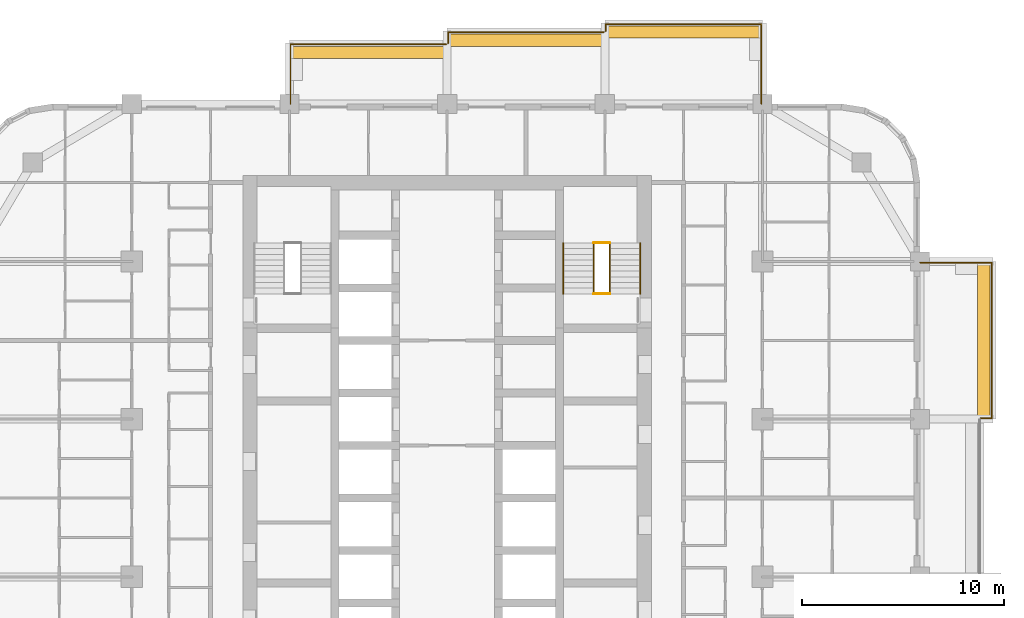
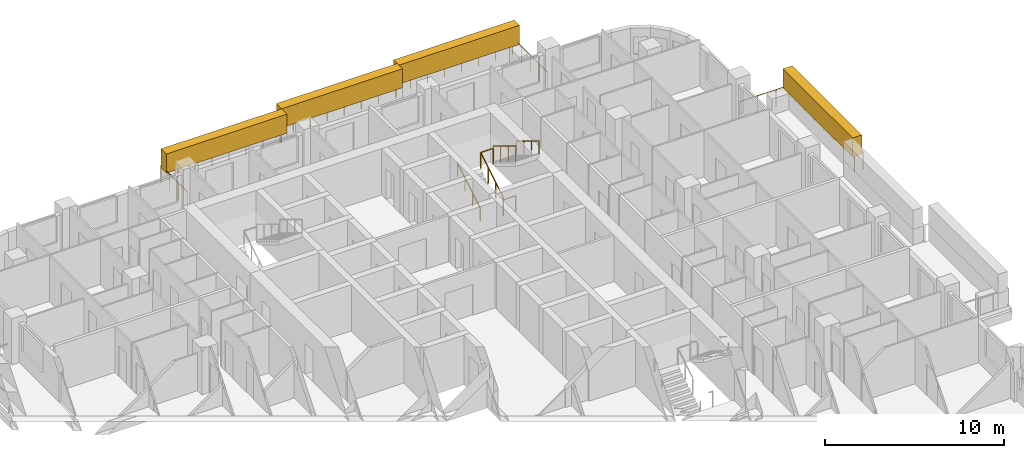
# One storey, part 17 of 17: 10 railings, 4 coverings, 1 element without a shape of its own.
"""IFC4 building model written with IfcOpenShell, lengths in metres."""

from ifc_helpers import new_model, si_unit, direction, frame, origin, origin_2d, place, context, subcontext, project, spatial, rectangle, circle, extrude, material, layer, layer_set, type_object, element, aggregate, save


model = new_model("IFC4")

# Units and contexts
model_context = context("Model", 3, precision=1e-05, world=origin(), true_north=direction((0.0, 1.0)))
body_context = subcontext(model_context, "Body", "Model", "MODEL_VIEW")
ifc_project = project(units=[si_unit("LENGTHUNIT", "METRE"), si_unit("AREAUNIT", "SQUARE_METRE"), si_unit("VOLUMEUNIT", "CUBIC_METRE"), si_unit("PLANEANGLEUNIT", "RADIAN"), si_unit("MASSUNIT", "GRAM", prefix="KILO")], contexts=[model_context])

# Site, building, storey
site_placement = place(None, origin())
site = spatial("IfcSite", under=ifc_project, at=site_placement, CompositionType="ELEMENT")
building_placement = place(site_placement, origin())
building = spatial("IfcBuilding", under=site, at=building_placement, Name="Ludao Terraces", CompositionType="ELEMENT")
storey_placement = place(building_placement, frame((0.0, 0.0, 88.60009765625)))
storey = spatial("IfcBuildingStorey", under=building, at=storey_placement, Name="L24", CompositionType="ELEMENT", Elevation=88.60009765625)

# Railings
ifc_material_1 = material(Name="Stainless steel 304", Category="steel")
railing_type_1 = type_object("IfcRailingType", Name="ENV Balcony glass guard 1200", PredefinedType="GUARDRAIL", material=ifc_material_1)
railing_1_placement = place(storey_placement, frame((111.39990234375, 72.85009765625, 0.0)))
element("IfcRailing", 1, at=railing_1_placement, inside=storey, type_object=railing_type_1, Name="Balcony guard L24 E4", PredefinedType="GUARDRAIL", context=body_context, shape_type="SweptSolid", body=[
    extrude(circle(Radius=0.02392578125, at=origin_2d()), frame((0.0, 0.0, 1.17578125), z_axis=(1.0, 0.0, 0.0), x_axis=(0.0, 1.0, 0.0)), (0.0, 0.0, 1.0), 0.550048828125),
    extrude(circle(Radius=0.02392578125, at=origin_2d()), frame((0.550048828125, 0.0, 1.17578125), z_axis=(0.0, 1.0, 0.0), x_axis=(-1.0, 0.0, 0.0)), (0.0, 0.0, 1.0), 7.699951171875),
    extrude(circle(Radius=0.02392578125, at=origin_2d()), frame((0.550048828125, 7.699951171875, 1.17578125), z_axis=(-1.0, 0.0, 0.0), x_axis=(0.0, -1.0, 0.0)), (0.0, 0.0, 1.0), 3.550048828125),
    extrude(circle(Radius=0.02099609375, at=origin_2d()), origin(), (0.0, 0.0, 1.0), 1.15185546875),
    extrude(circle(Radius=0.02099609375, at=origin_2d()), frame((0.550048828125, 0.0, 0.0)), (0.0, 0.0, 1.0), 1.15185546875),
    extrude(circle(Radius=0.02099609375, at=origin_2d()), frame((0.550048828125, 1.10009765625, 0.0)), (0.0, 0.0, 1.0), 1.15185546875),
    extrude(circle(Radius=0.02099609375, at=origin_2d()), frame((0.550048828125, 2.199951171875, 0.0)), (0.0, 0.0, 1.0), 1.15185546875),
    extrude(circle(Radius=0.02099609375, at=origin_2d()), frame((0.550048828125, 3.300048828125, 0.0)), (0.0, 0.0, 1.0), 1.15185546875),
    extrude(circle(Radius=0.02099609375, at=origin_2d()), frame((0.550048828125, 4.39990234375, 0.0)), (0.0, 0.0, 1.0), 1.15185546875),
    extrude(circle(Radius=0.02099609375, at=origin_2d()), frame((0.550048828125, 5.5, 0.0)), (0.0, 0.0, 1.0), 1.15185546875),
    extrude(circle(Radius=0.02099609375, at=origin_2d()), frame((0.550048828125, 6.599853515625, 0.0)), (0.0, 0.0, 1.0), 1.15185546875),
    extrude(circle(Radius=0.02099609375, at=origin_2d()), frame((0.550048828125, 7.699951171875, 0.0)), (0.0, 0.0, 1.0), 1.15185546875),
    extrude(circle(Radius=0.02099609375, at=origin_2d()), frame((-0.63330078125, 7.699951171875, 0.0)), (0.0, 0.0, 1.0), 1.15185546875),
    extrude(circle(Radius=0.02099609375, at=origin_2d()), frame((-1.816650390625, 7.699951171875, 0.0)), (0.0, 0.0, 1.0), 1.15185546875),
    extrude(circle(Radius=0.02099609375, at=origin_2d()), frame((-3.0, 7.699951171875, 0.0)), (0.0, 0.0, 1.0), 1.15185546875),
])
railing_2_placement = place(storey_placement, frame((77.25, 88.39990234375, 0.0)))
element("IfcRailing", 2, at=railing_2_placement, inside=storey, type_object=railing_type_1, Name="Balcony guard L24 N2", PredefinedType="GUARDRAIL", context=body_context, shape_type="SweptSolid", body=[
    extrude(circle(Radius=0.02392578125, at=origin_2d()), frame((0.0, 0.0, 1.17578125), z_axis=(0.0, 1.0, 0.0), x_axis=(-1.0, 0.0, 0.0)), (0.0, 0.0, 1.0), 2.9501953125),
    extrude(circle(Radius=0.02392578125, at=origin_2d()), frame((0.0, 2.9501953125, 1.17578125), z_axis=(1.0, 0.0, 0.0), x_axis=(0.0, 1.0, 0.0)), (0.0, 0.0, 1.0), 7.699951171875),
    extrude(circle(Radius=0.02099609375, at=origin_2d()), origin(), (0.0, 0.0, 1.0), 1.15185546875),
    extrude(circle(Radius=0.02099609375, at=origin_2d()), frame((0.0, 0.9833984375, 0.0)), (0.0, 0.0, 1.0), 1.15185546875),
    extrude(circle(Radius=0.02099609375, at=origin_2d()), frame((0.0, 1.966796875, 0.0)), (0.0, 0.0, 1.0), 1.15185546875),
    extrude(circle(Radius=0.02099609375, at=origin_2d()), frame((0.0, 2.9501953125, 0.0)), (0.0, 0.0, 1.0), 1.15185546875),
    extrude(circle(Radius=0.02099609375, at=origin_2d()), frame((1.10009765625, 2.9501953125, 0.0)), (0.0, 0.0, 1.0), 1.15185546875),
    extrude(circle(Radius=0.02099609375, at=origin_2d()), frame((2.199951171875, 2.9501953125, 0.0)), (0.0, 0.0, 1.0), 1.15185546875),
    extrude(circle(Radius=0.02099609375, at=origin_2d()), frame((3.300048828125, 2.9501953125, 0.0)), (0.0, 0.0, 1.0), 1.15185546875),
    extrude(circle(Radius=0.02099609375, at=origin_2d()), frame((4.39990234375, 2.9501953125, 0.0)), (0.0, 0.0, 1.0), 1.15185546875),
    extrude(circle(Radius=0.02099609375, at=origin_2d()), frame((5.5, 2.9501953125, 0.0)), (0.0, 0.0, 1.0), 1.15185546875),
    extrude(circle(Radius=0.02099609375, at=origin_2d()), frame((6.599853515625, 2.9501953125, 0.0)), (0.0, 0.0, 1.0), 1.15185546875),
    extrude(circle(Radius=0.02099609375, at=origin_2d()), frame((7.699951171875, 2.9501953125, 0.0)), (0.0, 0.0, 1.0), 1.15185546875),
])
railing_3_placement = place(storey_placement, frame((85.050048828125, 91.39990234375, 0.0)))
element("IfcRailing", 3, at=railing_3_placement, inside=storey, type_object=railing_type_1, Name="Balcony guard L24 N3", PredefinedType="GUARDRAIL", context=body_context, shape_type="SweptSolid", body=[
    extrude(circle(Radius=0.02392578125, at=origin_2d()), frame((0.0, 0.0, 1.17578125), z_axis=(0.0, 1.0, 0.0), x_axis=(-1.0, 0.0, 0.0)), (0.0, 0.0, 1.0), 0.550048828125),
    extrude(circle(Radius=0.02392578125, at=origin_2d()), frame((0.0, 0.550048828125, 1.17578125), z_axis=(1.0, 0.0, 0.0), x_axis=(0.0, 1.0, 0.0)), (0.0, 0.0, 1.0), 7.699951171875),
    extrude(circle(Radius=0.02099609375, at=origin_2d()), origin(), (0.0, 0.0, 1.0), 1.15185546875),
    extrude(circle(Radius=0.02099609375, at=origin_2d()), frame((0.0, 0.550048828125, 0.0)), (0.0, 0.0, 1.0), 1.15185546875),
    extrude(circle(Radius=0.02099609375, at=origin_2d()), frame((1.10009765625, 0.550048828125, 0.0)), (0.0, 0.0, 1.0), 1.15185546875),
    extrude(circle(Radius=0.02099609375, at=origin_2d()), frame((2.199951171875, 0.550048828125, 0.0)), (0.0, 0.0, 1.0), 1.15185546875),
    extrude(circle(Radius=0.02099609375, at=origin_2d()), frame((3.300048828125, 0.550048828125, 0.0)), (0.0, 0.0, 1.0), 1.15185546875),
    extrude(circle(Radius=0.02099609375, at=origin_2d()), frame((4.39990234375, 0.550048828125, 0.0)), (0.0, 0.0, 1.0), 1.15185546875),
    extrude(circle(Radius=0.02099609375, at=origin_2d()), frame((5.5, 0.550048828125, 0.0)), (0.0, 0.0, 1.0), 1.15185546875),
    extrude(circle(Radius=0.02099609375, at=origin_2d()), frame((6.599853515625, 0.550048828125, 0.0)), (0.0, 0.0, 1.0), 1.15185546875),
    extrude(circle(Radius=0.02099609375, at=origin_2d()), frame((7.699951171875, 0.550048828125, 0.0)), (0.0, 0.0, 1.0), 1.15185546875),
])
railing_4_placement = place(storey_placement, frame((92.85009765625, 92.0, 0.0)))
element("IfcRailing", 4, at=railing_4_placement, inside=storey, type_object=railing_type_1, Name="Balcony guard L24 N4", PredefinedType="GUARDRAIL", context=body_context, shape_type="SweptSolid", body=[
    extrude(circle(Radius=0.02392578125, at=origin_2d()), frame((0.0, 0.0, 1.17578125), z_axis=(0.0, 1.0, 0.0), x_axis=(-1.0, 0.0, 0.0)), (0.0, 0.0, 1.0), 0.35009765625),
    extrude(circle(Radius=0.02392578125, at=origin_2d()), frame((0.0, 0.35009765625, 1.17578125), z_axis=(1.0, 0.0, 0.0), x_axis=(0.0, 1.0, 0.0)), (0.0, 0.0, 1.0), 7.699951171875),
    extrude(circle(Radius=0.02392578125, at=origin_2d()), frame((7.699951171875, 0.35009765625, 1.17578125), z_axis=(0.0, -1.0, 0.0), x_axis=(1.0, 0.0, 0.0)), (0.0, 0.0, 1.0), 3.9501953125),
    extrude(circle(Radius=0.02099609375, at=origin_2d()), origin(), (0.0, 0.0, 1.0), 1.15185546875),
    extrude(circle(Radius=0.02099609375, at=origin_2d()), frame((0.0, 0.35009765625, 0.0)), (0.0, 0.0, 1.0), 1.15185546875),
    extrude(circle(Radius=0.02099609375, at=origin_2d()), frame((1.10009765625, 0.35009765625, 0.0)), (0.0, 0.0, 1.0), 1.15185546875),
    extrude(circle(Radius=0.02099609375, at=origin_2d()), frame((2.199951171875, 0.35009765625, 0.0)), (0.0, 0.0, 1.0), 1.15185546875),
    extrude(circle(Radius=0.02099609375, at=origin_2d()), frame((3.300048828125, 0.35009765625, 0.0)), (0.0, 0.0, 1.0), 1.15185546875),
    extrude(circle(Radius=0.02099609375, at=origin_2d()), frame((4.39990234375, 0.35009765625, 0.0)), (0.0, 0.0, 1.0), 1.15185546875),
    extrude(circle(Radius=0.02099609375, at=origin_2d()), frame((5.5, 0.35009765625, 0.0)), (0.0, 0.0, 1.0), 1.15185546875),
    extrude(circle(Radius=0.02099609375, at=origin_2d()), frame((6.599853515625, 0.35009765625, 0.0)), (0.0, 0.0, 1.0), 1.15185546875),
    extrude(circle(Radius=0.02099609375, at=origin_2d()), frame((7.699951171875, 0.35009765625, 0.0)), (0.0, 0.0, 1.0), 1.15185546875),
    extrude(circle(Radius=0.02099609375, at=origin_2d()), frame((7.699951171875, -0.637451171875, 0.0)), (0.0, 0.0, 1.0), 1.15185546875),
    extrude(circle(Radius=0.02099609375, at=origin_2d()), frame((7.699951171875, -1.625, 0.0)), (0.0, 0.0, 1.0), 1.15185546875),
    extrude(circle(Radius=0.02099609375, at=origin_2d()), frame((7.699951171875, -2.612548828125, 0.0)), (0.0, 0.0, 1.0), 1.15185546875),
    extrude(circle(Radius=0.02099609375, at=origin_2d()), frame((7.699951171875, -3.60009765625, 0.0)), (0.0, 0.0, 1.0), 1.15185546875),
])

# Coverings
ifc_material_2 = material(Name="Planting")
ifc_layer = layer(ifc_material_2, 0.60009765625)
ifc_layer_set = layer_set([ifc_layer], Name="ENV Planting hedge 600x1300")
covering_type = type_object("IfcCoveringType", Name="ENV Planting hedge 600x1300", PredefinedType="USERDEFINED", material=ifc_layer_set)
covering_placement = place(storey_placement, frame((111.550048828125, 76.699951171875, 1.10009765625), z_axis=(0.0, 0.0, 1.0), x_axis=(1.0, 0.0, 0.0)))
element("IfcCovering", 5, at=covering_placement, inside=storey, type_object=covering_type, Name="Planting hedge L24-E4", ObjectType="PLANTING", PredefinedType="USERDEFINED", context=body_context, shape_type="SweptSolid", body=[
    extrude(rectangle(XDim=0.60009765625, YDim=7.800048828125, at=origin_2d()), origin(), (0.0, 0.0, 1.0), 1.300048828125),
])
for number, where, z_axis, x_axis, name in (
    (6, (81.10009765625, 90.949951171875, 1.10009765625), (0.0, 0.0, 1.0), (1.0, 0.0, 0.0), "Planting hedge L24-N2"),
    (7, (88.89990234375, 91.550048828125, 1.10009765625), (0.0, 0.0, 1.0), (1.0, 0.0, 0.0), "Planting hedge L24-N3"),
    (8, (96.699951171875, 91.949951171875, 1.10009765625), (0.0, 0.0, 1.0), (1.0, 0.0, 0.0), "Planting hedge L24-N4"),
):
    element("IfcCovering", number, at=place(storey_placement, frame(where, z_axis=z_axis, x_axis=x_axis)), inside=storey, type_object=covering_type, Name=name, ObjectType="PLANTING", PredefinedType="USERDEFINED", context=body_context, shape_type="SweptSolid", body=[
        extrude(rectangle(XDim=7.800048828125, YDim=0.60009765625, at=origin_2d()), origin(), (0.0, 0.0, 1.0), 1.300048828125),
    ])

# Stair, railings
ifc_material_3 = material(Name="Concrete C40", Category="concrete")
stair_type = type_object("IfcStairType", Name="INT Stair", PredefinedType="HALF_TURN_STAIR", material=ifc_material_3)
stair_placement = place(storey_placement, origin())
stair = element("IfcStair", 9, at=stair_placement, inside=storey, type_object=stair_type, Name="EXIT STAIR 2", PredefinedType="HALF_TURN_STAIR")
railing_type_2 = type_object("IfcRailingType", Name="INT Stair guard 1100", PredefinedType="GUARDRAIL", material=ifc_material_1)
railing_5_placement = place(storey_placement, frame((92.25, 79.0, 0.169921875)))
railing_5 = element("IfcRailing", 10, at=railing_5_placement, type_object=railing_type_2, Name="ST-L24-S2-R1G", PredefinedType="GUARDRAIL", context=body_context, shape_type="SweptSolid", body=[
    extrude(circle(Radius=0.02392578125, at=origin_2d()), frame((0.0, 0.0, 1.076171875), z_axis=(0.0, 0.85478489116, 0.518982456201), x_axis=(-1.0, 0.0, 0.0)), (0.0, 0.0, 1.0), 2.9482421875),
    extrude(circle(Radius=0.02099609375, at=origin_2d()), origin(), (0.0, 0.0, 1.0), 1.052001953125),
    extrude(circle(Radius=0.02099609375, at=origin_2d()), frame((0.0, 0.840087890625, 0.510009765625)), (0.0, 0.0, 1.0), 1.052001953125),
    extrude(circle(Radius=0.02099609375, at=origin_2d()), frame((0.0, 1.679931640625, 1.02001953125)), (0.0, 0.0, 1.0), 1.052001953125),
    extrude(circle(Radius=0.02099609375, at=origin_2d()), frame((0.0, 2.52001953125, 1.530029296875)), (0.0, 0.0, 1.0), 1.052001953125),
])
railing_6_placement = place(storey_placement, frame((93.050048828125, 81.52001953125, 1.869873046875)))
railing_6 = element("IfcRailing", 11, at=railing_6_placement, type_object=railing_type_2, Name="ST-L24-S2-R2G", PredefinedType="GUARDRAIL", context=body_context, shape_type="SweptSolid", body=[
    extrude(circle(Radius=0.02392578125, at=origin_2d()), frame((0.0, 0.0, 1.076171875), z_axis=(0.0, -0.85478489116, 0.518982456201), x_axis=(1.0, 0.0, 0.0)), (0.0, 0.0, 1.0), 2.9482421875),
    extrude(circle(Radius=0.02099609375, at=origin_2d()), origin(), (0.0, 0.0, 1.0), 1.052001953125),
    extrude(circle(Radius=0.02099609375, at=origin_2d()), frame((0.0, -0.840087890625, 0.510009765625)), (0.0, 0.0, 1.0), 1.052001953125),
    extrude(circle(Radius=0.02099609375, at=origin_2d()), frame((0.0, -1.679931640625, 1.02001953125)), (0.0, 0.0, 1.0), 1.052001953125),
    extrude(circle(Radius=0.02099609375, at=origin_2d()), frame((0.0, -2.52001953125, 1.530029296875)), (0.0, 0.0, 1.0), 1.052001953125),
])
railing_7_placement = place(storey_placement, frame((92.25, 81.52001953125, 1.699951171875)))
railing_7 = element("IfcRailing", 12, at=railing_7_placement, type_object=railing_type_2, Name="ST-L24-S2-E1G", PredefinedType="GUARDRAIL", context=body_context, shape_type="SweptSolid", body=[
    extrude(circle(Radius=0.02392578125, at=origin_2d()), frame((0.0, 0.0, 1.076171875), z_axis=(1.0, 0.0, 0.0), x_axis=(0.0, 1.0, 0.0)), (0.0, 0.0, 1.0), 0.800048828125),
    extrude(circle(Radius=0.02099609375, at=origin_2d()), origin(), (0.0, 0.0, 1.0), 1.052001953125),
    extrude(circle(Radius=0.02099609375, at=origin_2d()), frame((0.800048828125, 0.0, 0.0)), (0.0, 0.0, 1.0), 1.052001953125),
])
railing_8_placement = place(storey_placement, frame((92.25, 79.0, 0.0)))
railing_8 = element("IfcRailing", 13, at=railing_8_placement, type_object=railing_type_2, Name="ST-L24-S2-E2G", PredefinedType="GUARDRAIL", context=body_context, shape_type="SweptSolid", body=[
    extrude(circle(Radius=0.02392578125, at=origin_2d()), frame((0.0, 0.0, 1.076171875), z_axis=(1.0, 0.0, 0.0), x_axis=(0.0, 1.0, 0.0)), (0.0, 0.0, 1.0), 0.800048828125),
    extrude(circle(Radius=0.02099609375, at=origin_2d()), origin(), (0.0, 0.0, 1.0), 1.052001953125),
    extrude(circle(Radius=0.02099609375, at=origin_2d()), frame((0.800048828125, 0.0, 0.0)), (0.0, 0.0, 1.0), 1.052001953125),
])
railing_type_3 = type_object("IfcRailingType", Name="INT Stair handrail 900", PredefinedType="HANDRAIL", material=ifc_material_1)
railing_9_placement = place(storey_placement, frame((90.75, 79.0, 0.169921875)))
railing_9 = element("IfcRailing", 14, at=railing_9_placement, type_object=railing_type_3, Name="ST-L24-S2-R1H", PredefinedType="HANDRAIL", context=body_context, shape_type="SweptSolid", body=[
    extrude(circle(Radius=0.02392578125, at=origin_2d()), frame((0.0, 0.0, 0.8759765625), z_axis=(0.0, 0.85478489116, 0.518982456201), x_axis=(-1.0, 0.0, 0.0)), (0.0, 0.0, 1.0), 2.9482421875),
    extrude(circle(Radius=0.02099609375, at=origin_2d()), origin(), (0.0, 0.0, 1.0), 0.851806640625),
    extrude(circle(Radius=0.02099609375, at=origin_2d()), frame((0.0, 0.840087890625, 0.510009765625)), (0.0, 0.0, 1.0), 0.851806640625),
    extrude(circle(Radius=0.02099609375, at=origin_2d()), frame((0.0, 1.679931640625, 1.02001953125)), (0.0, 0.0, 1.0), 0.851806640625),
    extrude(circle(Radius=0.02099609375, at=origin_2d()), frame((0.0, 2.52001953125, 1.530029296875)), (0.0, 0.0, 1.0), 0.851806640625),
])
railing_10_placement = place(storey_placement, frame((94.550048828125, 81.52001953125, 1.869873046875)))
railing_10 = element("IfcRailing", 15, at=railing_10_placement, type_object=railing_type_3, Name="ST-L24-S2-R2H", PredefinedType="HANDRAIL", context=body_context, shape_type="SweptSolid", body=[
    extrude(circle(Radius=0.02392578125, at=origin_2d()), frame((0.0, 0.0, 0.8759765625), z_axis=(0.0, -0.85478489116, 0.518982456201), x_axis=(1.0, 0.0, 0.0)), (0.0, 0.0, 1.0), 2.9482421875),
    extrude(circle(Radius=0.02099609375, at=origin_2d()), origin(), (0.0, 0.0, 1.0), 0.851806640625),
    extrude(circle(Radius=0.02099609375, at=origin_2d()), frame((0.0, -0.840087890625, 0.510009765625)), (0.0, 0.0, 1.0), 0.851806640625),
    extrude(circle(Radius=0.02099609375, at=origin_2d()), frame((0.0, -1.679931640625, 1.02001953125)), (0.0, 0.0, 1.0), 0.851806640625),
    extrude(circle(Radius=0.02099609375, at=origin_2d()), frame((0.0, -2.52001953125, 1.530029296875)), (0.0, 0.0, 1.0), 0.851806640625),
])
aggregate(stair, [railing_5, railing_9, railing_6, railing_10, railing_7, railing_8])

save(model, "model.ifc")
